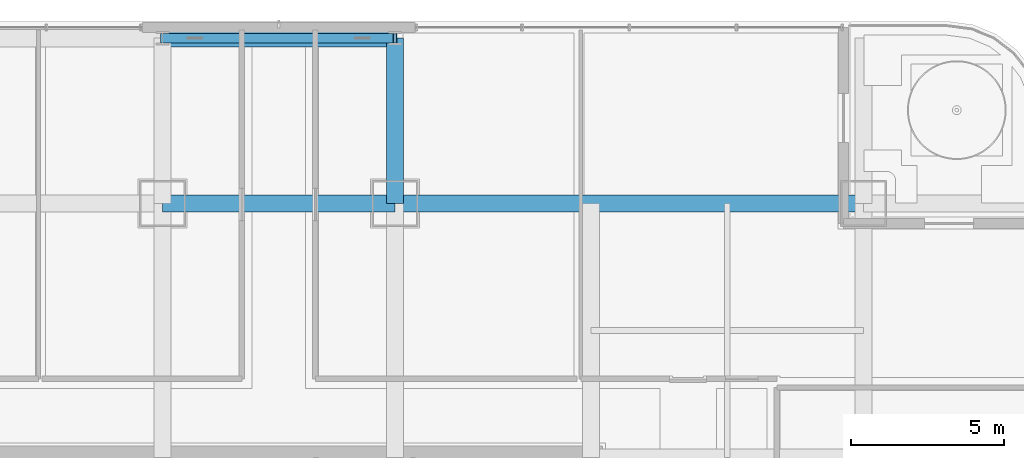
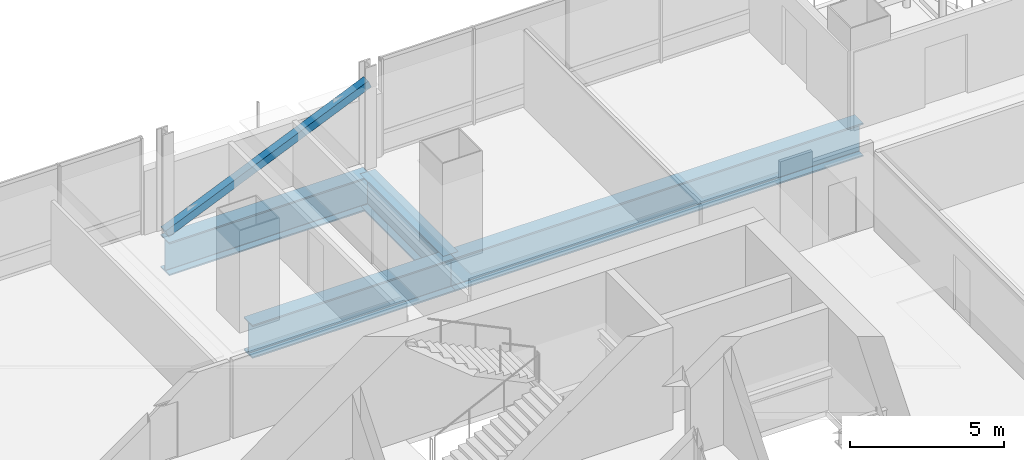
# One storey, part 20 of 37: 4 beams, 1 member.
"""IFC4 building model written with IfcOpenShell, lengths in metres."""

from ifc_helpers import new_model, si_unit, direction, frame, origin, origin_2d, place, context, subcontext, project, spatial, hollow_rectangle, i_section, extrude, material, material_profile, profile_set, type_object, element, save


model = new_model("IFC4")

# Units and contexts
model_context = context("Model", 3, precision=1e-05, world=origin(), true_north=direction((0.0, 1.0)))
body_context = subcontext(model_context, "Body", "Model", "MODEL_VIEW")
ifc_project = project(units=[si_unit("LENGTHUNIT", "METRE"), si_unit("AREAUNIT", "SQUARE_METRE"), si_unit("VOLUMEUNIT", "CUBIC_METRE"), si_unit("PLANEANGLEUNIT", "RADIAN"), si_unit("MASSUNIT", "GRAM", prefix="KILO")], contexts=[model_context])

# Site, building, storey
site_placement = place(None, origin())
site = spatial("IfcSite", under=ifc_project, at=site_placement, CompositionType="ELEMENT")
building_placement = place(site_placement, origin())
building = spatial("IfcBuilding", under=site, at=building_placement, Name="Punatoya Terracotta Tower", CompositionType="ELEMENT")
storey_placement = place(building_placement, frame((0.0, 0.0, 109.199951171875)))
storey = spatial("IfcBuildingStorey", under=building, at=storey_placement, Name="L25", CompositionType="ELEMENT", Elevation=109.199951171875)

# Beams
ifc_material_1 = material(Name="Steel S460", Category="steel")
ifc_material_profile_1 = material_profile(ifc_material_1, i_section(OverallWidth=0.56005859375, OverallDepth=1.320068359375, WebThickness=0.035888671875, FlangeThickness=0.054931640625, FilletRadius=0.01806640625, at=origin_2d()))
ifc_profile_set_1 = profile_set([ifc_material_profile_1], Name="Steel S460")
beam_type = type_object("IfcBeamType", Name="BM-TG-BLK", PredefinedType="BEAM", material=ifc_profile_set_1)
beam_1_placement = place(storey_placement, frame((-3.800048828125, 17.5, -0.89990234375), z_axis=(1.0, 0.0, 0.0), x_axis=(0.0, 1.0, 0.0)))
element("IfcBeam", 1, at=beam_1_placement, inside=storey, type_object=beam_type, Name="BM-L25-RG-N2", PredefinedType="BEAM", context=body_context, shape_type="SweptSolid", body=[
    extrude(i_section(OverallWidth=0.56005859375, OverallDepth=1.320068359375, WebThickness=0.035888671875, FlangeThickness=0.054931640625, FilletRadius=0.01806640625, at=origin_2d()), origin(), (0.0, 0.0, 1.0), 7.60009765625),
])
beam_2_placement = place(storey_placement, frame((3.800048828125, 17.5, -0.89990234375), z_axis=(1.0, 0.0, 0.0), x_axis=(0.0, 1.0, 0.0)))
element("IfcBeam", 2, at=beam_2_placement, inside=storey, type_object=beam_type, Name="BM-L25-RG-N3", PredefinedType="BEAM", context=body_context, shape_type="SweptSolid", body=[
    extrude(i_section(OverallWidth=0.56005859375, OverallDepth=1.320068359375, WebThickness=0.035888671875, FlangeThickness=0.054931640625, FilletRadius=0.01806640625, at=origin_2d()), origin(), (0.0, 0.0, 1.0), 15.300048828125),
])
beam_3_placement = place(storey_placement, frame((3.800048828125, 17.5, -0.89990234375), z_axis=(0.0, 1.0, 0.0), x_axis=(-1.0, 0.0, 0.0)))
element("IfcBeam", 3, at=beam_3_placement, inside=storey, type_object=beam_type, Name="BM-L25-CANT-N3", PredefinedType="BEAM", context=body_context, shape_type="SweptSolid", body=[
    extrude(i_section(OverallWidth=0.56005859375, OverallDepth=1.320068359375, WebThickness=0.035888671875, FlangeThickness=0.054931640625, FilletRadius=0.01806640625, at=origin_2d()), origin(), (0.0, 0.0, 1.0), 5.39990234375),
])
beam_4_placement = place(storey_placement, frame((-3.800048828125, 22.89990234375, -0.89990234375), z_axis=(1.0, 0.0, 0.0), x_axis=(0.0, 1.0, 0.0)))
element("IfcBeam", 4, at=beam_4_placement, inside=storey, type_object=beam_type, Name="BM-L25-PER-N2", PredefinedType="BEAM", context=body_context, shape_type="SweptSolid", body=[
    extrude(i_section(OverallWidth=0.56005859375, OverallDepth=1.320068359375, WebThickness=0.035888671875, FlangeThickness=0.054931640625, FilletRadius=0.01806640625, at=origin_2d()), origin(), (0.0, 0.0, 1.0), 7.60009765625),
])

# Member
ifc_material_2 = material(Name="Steel S355", Category="steel")
ifc_material_profile_2 = material_profile(ifc_material_2, hollow_rectangle(XDim=0.300048828125, YDim=0.300048828125, WallThickness=0.01611328125, at=origin_2d()))
ifc_profile_set_2 = profile_set([ifc_material_profile_2], Name="Steel S355")
member_type = type_object("IfcMemberType", Name="MEM-WND-300", PredefinedType="BRACE", material=ifc_profile_set_2)
member_placement = place(storey_placement, frame((-3.800048828125, 22.89990234375, 0.02001953125), z_axis=(0.917702547379, 0.0, 0.397268214856), x_axis=(0.0, 1.0, 0.0)))
element("IfcMember", 5, at=member_placement, inside=storey, type_object=member_type, Name="L25 Perimeter Wind Brace N2", PredefinedType="BRACE", context=body_context, shape_type="SweptSolid", body=[
    extrude(hollow_rectangle(XDim=0.300048828125, YDim=0.300048828125, WallThickness=0.01611328125, at=origin_2d()), origin(), (0.0, 0.0, 1.0), 8.28173828125),
])

save(model, "model.ifc")
